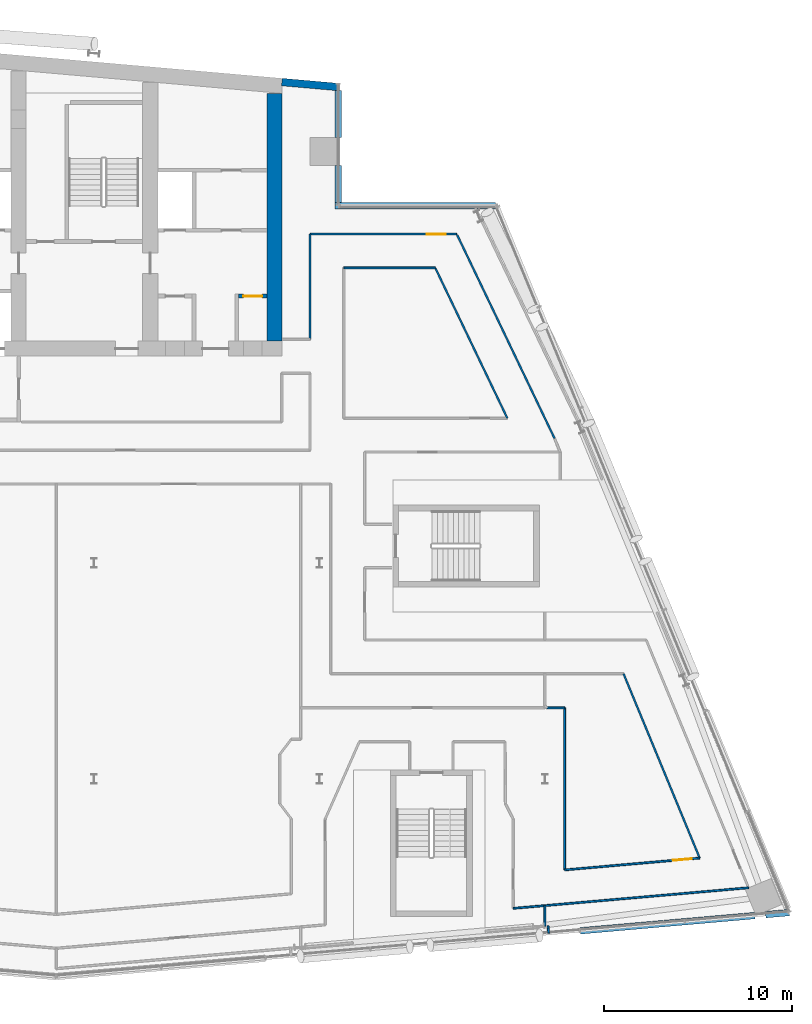
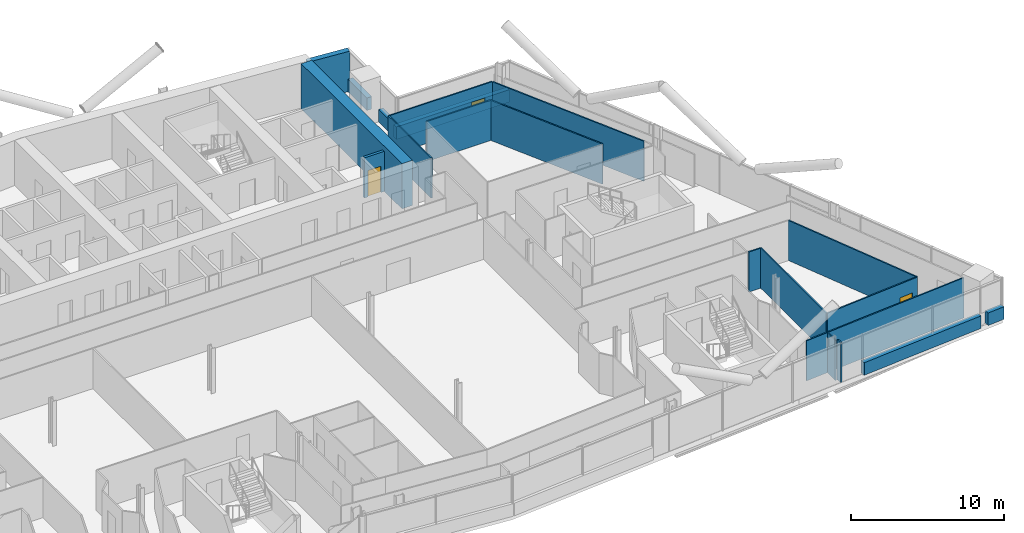
# One storey, part 19 of 28: 21 walls, 3 doors, 3 openings.
"""IFC4 building model written with IfcOpenShell, lengths in metres."""

from ifc_helpers import new_model, si_unit, direction, frame, frame_2d, origin, place, context, subcontext, project, spatial, rectangle, extrude, material, layer, layer_set, type_object, element, fill, save


model = new_model("IFC4")

# Units and contexts
model_context = context("Model", 3, precision=1e-05, world=origin(), true_north=direction((0.0, 1.0)))
body_context = subcontext(model_context, "Body", "Model", "MODEL_VIEW")
ifc_project = project(units=[si_unit("LENGTHUNIT", "METRE"), si_unit("AREAUNIT", "SQUARE_METRE"), si_unit("VOLUMEUNIT", "CUBIC_METRE"), si_unit("PLANEANGLEUNIT", "RADIAN"), si_unit("MASSUNIT", "GRAM", prefix="KILO")], contexts=[model_context])

# Site, building, storey
site_placement = place(None, origin())
site = spatial("IfcSite", under=ifc_project, at=site_placement, CompositionType="ELEMENT")
building_placement = place(site_placement, origin())
building = spatial("IfcBuilding", under=site, at=building_placement, Name="Wharfspan Tower", CompositionType="ELEMENT")
storey_placement = place(building_placement, frame((0.0, 0.0, 187.899902)))
storey = spatial("IfcBuildingStorey", under=building, at=storey_placement, Name="L46", CompositionType="ELEMENT", Elevation=187.899902)

# Wall
ifc_material_1 = material(Name="Gypsum board on steel studs", Category="steel")
ifc_layer_1 = layer(ifc_material_1, 0.100098)
ifc_layer_set_1 = layer_set([ifc_layer_1], Name="Gypsum board on steel studs")
wall_type_1 = type_object("IfcWallType", Name="Compartment wall 100 EI 60", PredefinedType="PARTITIONING", material=ifc_layer_set_1)
wall_1_placement = place(storey_placement, frame((59.5, 34.899902, 0.0), z_axis=(0.0, 0.0, 1.0), x_axis=(0.0, 1.0, 0.0)))
element("IfcWall", 1, at=wall_1_placement, inside=storey, type_object=wall_type_1, Name="Partition L46.w087", PredefinedType="PARTITIONING", context=body_context, shape_type="SweptSolid", body=[
    extrude(rectangle(XDim=5.600098, YDim=0.100098, at=frame_2d((2.800049, 0.0))), origin(), (0.0, 0.0, 1.0), 3.200195),
])

# Wall, opening, door
wall_2_placement = place(storey_placement, frame((59.5, 40.5, 0.0), z_axis=(0.0, 0.0, 1.0), x_axis=(1.0, 0.0, 0.0)))
wall_2 = element("IfcWall", 2, at=wall_2_placement, inside=storey, type_object=wall_type_1, Name="Partition L46.w088", PredefinedType="PARTITIONING", context=body_context, shape_type="SweptSolid", body=[
    extrude(rectangle(XDim=7.800049, YDim=0.100098, at=frame_2d((3.899902, 0.0))), origin(), (0.0, 0.0, 1.0), 3.200195),
])
opening_1_placement = place(wall_2_placement, frame((6.223389, 0.0, 0.0)))
opening_1 = element("IfcOpeningElement", 3, at=opening_1_placement, cuts=wall_2, Name="Opening C5-24", PredefinedType="OPENING", context=body_context, shape_type="SweptSolid", body=[
    extrude(rectangle(XDim=1.0, YDim=2.100098, at=frame_2d((0.5, 1.050049))), frame((0.0, 0.060059, 0.0), z_axis=(0.0, -1.0, 0.0), x_axis=(1.0, 0.0, 0.0)), (0.0, 0.0, 1.0), 0.120117),
])
ifc_material_2 = material(Name="Fire-rated timber door leaf in steel frame", Category="steel")
door_type_1 = type_object("IfcDoorType", Name="Door 1000 FD30S Right", OperationType="SINGLE_SWING_RIGHT", PredefinedType="DOOR", material=ifc_material_2)
door_1_placement = place(opening_1_placement, origin())
door_1 = element("IfcDoor", 4, at=door_1_placement, inside=storey, type_object=door_type_1, Name="Door C5-24", OperationType="SINGLE_SWING_RIGHT", OverallHeight=2.100098, OverallWidth=1.0, PredefinedType="DOOR", context=body_context, shape_type="SweptSolid", body=[
    extrude(rectangle(XDim=1.0, YDim=2.100098, at=frame_2d((0.5, 1.050049))), frame((0.0, 0.024902, 0.0), z_axis=(0.0, -1.0, 0.0), x_axis=(1.0, 0.0, 0.0)), (0.0, 0.0, 1.0), 0.050049),
])
fill(opening_1, door_1)

# Walls
wall_3_placement = place(storey_placement, frame((61.300049, 38.699951, 0.0), z_axis=(0.0, 0.0, 1.0), x_axis=(1.0, 0.0, 0.0)))
element("IfcWall", 5, at=wall_3_placement, inside=storey, type_object=wall_type_1, Name="Partition L46.w095", PredefinedType="PARTITIONING", context=body_context, shape_type="SweptSolid", body=[
    extrude(rectangle(XDim=4.86499, YDim=0.100098, at=frame_2d((2.432617, 0.0))), origin(), (0.0, 0.0, 1.0), 3.200195),
])
wall_4_placement = place(storey_placement, frame((70.0, 30.699951, 0.0), z_axis=(0.0, 0.0, 1.0), x_axis=(-0.432271, 0.901748, 0.0)))
element("IfcWall", 6, at=wall_4_placement, inside=storey, type_object=wall_type_1, Name="Partition L46.w109", PredefinedType="PARTITIONING", context=body_context, shape_type="SweptSolid", body=[
    extrude(rectangle(XDim=8.871582, YDim=0.100098, at=frame_2d((4.435791, 0.0))), origin(), (0.0, 0.0, 1.0), 3.200195),
])
wall_5_placement = place(storey_placement, frame((70.310059, 4.620117, 0.0), z_axis=(0.0, 0.0, 1.0), x_axis=(0.996348, 0.085356, 0.0)))
element("IfcWall", 7, at=wall_5_placement, inside=storey, type_object=wall_type_1, Name="Partition L46.w110", PredefinedType="PARTITIONING", context=body_context, shape_type="SweptSolid", body=[
    extrude(rectangle(XDim=1.696045, YDim=0.100098, at=frame_2d((0.848145, 0.0))), origin(), (0.0, 0.0, 1.0), 3.200195),
])
wall_6_placement = place(storey_placement, frame((72.0, 3.679932, 0.0), z_axis=(0.0, 0.0, 1.0), x_axis=(0.0, 1.0, 0.0)))
element("IfcWall", 8, at=wall_6_placement, inside=storey, type_object=wall_type_1, Name="Partition L46.w113", PredefinedType="PARTITIONING", context=body_context, shape_type="SweptSolid", body=[
    extrude(rectangle(XDim=1.084961, YDim=0.100098, at=frame_2d((0.54248, 0.0))), origin(), (0.0, 0.0, 1.0), 3.200195),
])
wall_7_placement = place(storey_placement, frame((72.0, 4.764893, 0.0), z_axis=(0.0, 0.0, 1.0), x_axis=(0.996178, 0.087362, 0.0)))
element("IfcWall", 9, at=wall_7_placement, inside=storey, type_object=wall_type_1, Name="Partition L46.w114", PredefinedType="PARTITIONING", context=body_context, shape_type="SweptSolid", body=[
    extrude(rectangle(XDim=10.876465, YDim=0.100098, at=frame_2d((5.438232, 0.0))), origin(), (0.0, 0.0, 1.0), 3.200195),
])
wall_8_placement = place(storey_placement, frame((72.110107, 15.284912, 0.0), z_axis=(0.0, 0.0, 1.0), x_axis=(1.0, 0.0, 0.0)))
element("IfcWall", 10, at=wall_8_placement, inside=storey, type_object=wall_type_1, Name="Partition L46.w117", PredefinedType="PARTITIONING", context=body_context, shape_type="SweptSolid", body=[
    extrude(rectangle(XDim=0.939941, YDim=0.100098, at=frame_2d((0.469971, 0.0))), origin(), (0.0, 0.0, 1.0), 3.200195),
])
wall_9_placement = place(storey_placement, frame((72.514893, 29.620117, 0.0), z_axis=(0.0, 0.0, 1.0), x_axis=(-0.43171, 0.902012, 0.0)))
element("IfcWall", 11, at=wall_9_placement, inside=storey, type_object=wall_type_1, Name="Partition L46.w120", PredefinedType="PARTITIONING", context=body_context, shape_type="SweptSolid", body=[
    extrude(rectangle(XDim=12.00708, YDim=0.100098, at=frame_2d((6.003418, 0.0))), origin(), (0.0, 0.0, 1.0), 3.200195),
])

# Wall, opening, door
wall_10_placement = place(storey_placement, frame((73.050049, 6.665039, 0.0), z_axis=(0.0, 0.0, 1.0), x_axis=(0.996183, 0.087331, 0.0)))
wall_10 = element("IfcWall", 12, at=wall_10_placement, inside=storey, type_object=wall_type_1, Name="Partition L46.w123", PredefinedType="PARTITIONING", context=body_context, shape_type="SweptSolid", body=[
    extrude(rectangle(XDim=7.212646, YDim=0.100098, at=frame_2d((3.606445, 0.0))), origin(), (0.0, 0.0, 1.0), 3.200195),
])
opening_2_placement = place(wall_10_placement, frame((5.786133, 0.0, 0.0)))
opening_2 = element("IfcOpeningElement", 13, at=opening_2_placement, cuts=wall_10, Name="Opening C5-07", PredefinedType="OPENING", context=body_context, shape_type="SweptSolid", body=[
    extrude(rectangle(XDim=1.0, YDim=2.100098, at=frame_2d((0.5, 1.050049))), frame((0.0, 0.060059, 0.0), z_axis=(0.0, -1.0, 0.0), x_axis=(1.0, 0.0, 0.0)), (0.0, 0.0, 1.0), 0.120117),
])
door_2_placement = place(opening_2_placement, origin())
door_2 = element("IfcDoor", 14, at=door_2_placement, inside=storey, type_object=door_type_1, Name="Door C5-07", OperationType="SINGLE_SWING_RIGHT", OverallHeight=2.100098, OverallWidth=1.0, PredefinedType="DOOR", context=body_context, shape_type="SweptSolid", body=[
    extrude(rectangle(XDim=1.0, YDim=2.100098, at=frame_2d((0.5, 1.050049))), frame((0.0, 0.024902, 0.0), z_axis=(0.0, -1.0, 0.0), x_axis=(1.0, 0.0, 0.0)), (0.0, 0.0, 1.0), 0.050049),
])
fill(opening_2, door_2)

# Walls
wall_11_placement = place(storey_placement, frame((73.050049, 6.665039, 0.0), z_axis=(0.0, 0.0, 1.0), x_axis=(0.0, 1.0, 0.0)))
element("IfcWall", 15, at=wall_11_placement, inside=storey, type_object=wall_type_1, Name="Partition L46.w124", PredefinedType="PARTITIONING", context=body_context, shape_type="SweptSolid", body=[
    extrude(rectangle(XDim=8.619873, YDim=0.100098, at=frame_2d((4.310059, 0.0))), origin(), (0.0, 0.0, 1.0), 3.200195),
])
wall_12_placement = place(storey_placement, frame((80.235107, 7.294922, 0.0), z_axis=(0.0, 0.0, 1.0), x_axis=(-0.381768, 0.924261, 0.0)))
element("IfcWall", 16, at=wall_12_placement, inside=storey, type_object=wall_type_1, Name="Partition L46.w128", PredefinedType="PARTITIONING", context=body_context, shape_type="SweptSolid", body=[
    extrude(rectangle(XDim=10.608643, YDim=0.100098, at=frame_2d((5.304199, 0.0))), origin(), (0.0, 0.0, 1.0), 3.200195),
])

# Wall, opening, door
ifc_material_3 = material(Name="Calcium silicate masonry", Category="masonry")
ifc_layer_2 = layer(ifc_material_3, 0.199951)
ifc_layer_set_2 = layer_set([ifc_layer_2], Name="Calcium silicate masonry")
wall_type_2 = type_object("IfcWallType", Name="Core room wall 200", PredefinedType="PARTITIONING", material=ifc_layer_set_2)
wall_13_placement = place(storey_placement, frame((55.699951, 37.199951, 0.0), z_axis=(0.0, 0.0, 1.0), x_axis=(1.0, 0.0, 0.0)))
wall_13 = element("IfcWall", 17, at=wall_13_placement, inside=storey, type_object=wall_type_2, Name="sw:L46:FR6.3", PredefinedType="PARTITIONING", context=body_context, shape_type="SweptSolid", body=[
    extrude(rectangle(XDim=1.5, YDim=0.199951, at=frame_2d((0.75, 0.0))), origin(), (0.0, 0.0, 1.0), 3.200195),
])
opening_3_placement = place(wall_13_placement, frame((0.25, 0.0, 0.0)))
opening_3 = element("IfcOpeningElement", 18, at=opening_3_placement, cuts=wall_13, Name="Opening CD46.6H3", PredefinedType="OPENING", context=body_context, shape_type="SweptSolid", body=[
    extrude(rectangle(XDim=1.0, YDim=2.100098, at=frame_2d((0.5, 1.050049))), frame((0.0, 0.109863, 0.0), z_axis=(0.0, -1.0, 0.0), x_axis=(1.0, 0.0, 0.0)), (0.0, 0.0, 1.0), 0.219971),
])
ifc_material_4 = material(Name="Steel door leaf", Category="steel")
door_type_2 = type_object("IfcDoorType", Name="Core room door 1000x2100", OperationType="SINGLE_SWING_LEFT", PredefinedType="DOOR", material=ifc_material_4)
door_3_placement = place(opening_3_placement, origin())
door_3 = element("IfcDoor", 19, at=door_3_placement, inside=storey, type_object=door_type_2, Name="d:L46:6:fh6.3", OperationType="SINGLE_SWING_RIGHT", OverallHeight=2.100098, OverallWidth=1.0, PredefinedType="DOOR", context=body_context, shape_type="SweptSolid", body=[
    extrude(rectangle(XDim=1.0, YDim=2.100098, at=frame_2d((0.5, 1.050049))), frame((0.0, 0.024902, 0.0), z_axis=(0.0, -1.0, 0.0), x_axis=(1.0, 0.0, 0.0)), (0.0, 0.0, 1.0), 0.050049),
])
fill(opening_3, door_3)

# Walls
ifc_material_5 = material(Name="Concrete C60/75", Category="concrete")
ifc_layer_3 = layer(ifc_material_5, 0.800049)
ifc_layer_set_3 = layer_set([ifc_layer_3], Name="Concrete C60/75")
wall_type_3 = type_object("IfcWallType", Name="Core wall 800 C60/75", PredefinedType="SHEAR", material=ifc_layer_set_3)
wall_14_placement = place(storey_placement, frame((57.600098, 34.800049, 0.0), z_axis=(0.0, 0.0, 1.0), x_axis=(0.0, 1.0, 0.0)))
element("IfcWall", 20, at=wall_14_placement, inside=storey, type_object=wall_type_3, Name="Core cross wall EW1 L46", PredefinedType="SHEAR", context=body_context, shape_type="SweptSolid", body=[
    extrude(rectangle(XDim=13.184326, YDim=0.800049, at=frame_2d((6.592285, 0.0))), origin(), (0.0, 0.0, 1.0), 3.600098),
])
ifc_layer_4 = layer(ifc_material_1, 0.100098)
ifc_layer_set_4 = layer_set([ifc_layer_4], Name="Gypsum board on steel studs")
wall_type_4 = type_object("IfcWallType", Name="Partition 100", PredefinedType="PARTITIONING", material=ifc_layer_set_4)
wall_15_placement = place(storey_placement, frame((72.198242, 3.300049, 0.0), z_axis=(0.0, 0.0, 1.0), x_axis=(-0.083759, 0.996486, 0.0)))
element("IfcWall", 21, at=wall_15_placement, inside=storey, type_object=wall_type_4, Name="Partition L46.w119", PredefinedType="PARTITIONING", context=body_context, shape_type="SweptSolid", body=[
    extrude(rectangle(XDim=0.396484, YDim=0.100098, at=frame_2d((0.198242, 0.0))), origin(), (0.0, 0.0, 1.0), 3.200195),
])
ifc_material_6 = material(Name="Concrete C40/50", Category="concrete")
ifc_layer_5 = layer(ifc_material_6, 0.350098)
ifc_layer_set_5 = layer_set([ifc_layer_5], Name="Concrete C40/50")
wall_type_5 = type_object("IfcWallType", Name="SPANDREL EXPOSED CONCRETE 350", PredefinedType="SOLIDWALL", material=ifc_layer_set_5)
wall_16_placement = place(storey_placement, frame((73.887451, 3.422852, 0.0), z_axis=(0.0, 0.0, 1.0), x_axis=(0.996197, 0.087145, 0.0)))
element("IfcWall", 22, at=wall_16_placement, inside=storey, type_object=wall_type_5, Name="Spandrel upstand L46 S2 2", PredefinedType="SOLIDWALL", context=body_context, shape_type="SweptSolid", body=[
    extrude(rectangle(XDim=9.323486, YDim=0.350098, at=frame_2d((4.661621, 0.0))), origin(), (0.0, 0.0, 1.0), 1.0),
])
wall_17_placement = place(storey_placement, frame((83.744629, 4.285156, 0.0), z_axis=(0.0, 0.0, 1.0), x_axis=(0.996198, 0.087148, 0.0)))
element("IfcWall", 23, at=wall_17_placement, inside=storey, type_object=wall_type_5, Name="Spandrel upstand L46 S2 3", PredefinedType="SOLIDWALL", context=body_context, shape_type="SweptSolid", body=[
    extrude(rectangle(XDim=1.260742, YDim=0.350098, at=frame_2d((0.630371, 0.0))), origin(), (0.0, 0.0, 1.0), 1.0),
])
wall_18_placement = place(storey_placement, frame((69.366211, 42.004883, 0.0), z_axis=(0.0, 0.0, 1.0), x_axis=(-1.0, 0.0, 0.0)))
element("IfcWall", 24, at=wall_18_placement, inside=storey, type_object=wall_type_5, Name="Spandrel upstand L46 NRE-H", PredefinedType="SOLIDWALL", context=body_context, shape_type="SweptSolid", body=[
    extrude(rectangle(XDim=8.536133, YDim=0.350098, at=frame_2d((4.268066, 0.0))), origin(), (0.0, 0.0, 1.0), 1.0),
])
wall_19_placement = place(storey_placement, frame((61.004883, 42.179932, 0.0), z_axis=(0.0, 0.0, 1.0), x_axis=(0.0, 1.0, 0.0)))
element("IfcWall", 25, at=wall_19_placement, inside=storey, type_object=wall_type_5, Name="Spandrel upstand L46 NRE-V", PredefinedType="SOLIDWALL", context=body_context, shape_type="SweptSolid", body=[
    extrude(rectangle(XDim=1.969971, YDim=0.350098, at=frame_2d((0.984863, 0.0))), origin(), (0.0, 0.0, 1.0), 1.0),
])
wall_20_placement = place(storey_placement, frame((61.004883, 45.649902, 0.0), z_axis=(0.0, 0.0, 1.0), x_axis=(0.0, 1.0, 0.0)))
element("IfcWall", 26, at=wall_20_placement, inside=storey, type_object=wall_type_5, Name="Spandrel upstand L46 NRE-V 2", PredefinedType="SOLIDWALL", context=body_context, shape_type="SweptSolid", body=[
    extrude(rectangle(XDim=2.476562, YDim=0.350098, at=frame_2d((1.238281, 0.0))), origin(), (0.0, 0.0, 1.0), 1.0),
])
ifc_layer_6 = layer(ifc_material_6, 0.399902)
ifc_layer_set_6 = layer_set([ifc_layer_6], Name="Concrete C40/50")
wall_type_6 = type_object("IfcWallType", Name="WALL EXPOSED CONCRETE 400", PredefinedType="SOLIDWALL", material=ifc_layer_set_6)
wall_21_placement = place(storey_placement, frame((60.982666, 48.325684, 0.0), z_axis=(0.0, 0.0, 1.0), x_axis=(-0.996194, 0.087168, 0.0)))
element("IfcWall", 27, at=wall_21_placement, inside=storey, type_object=wall_type_6, Name="Rear wall N2", PredefinedType="SOLIDWALL", context=body_context, shape_type="SweptSolid", body=[
    extrude(rectangle(XDim=2.994141, YDim=0.399902, at=frame_2d((1.49707, 0.0))), origin(), (0.0, 0.0, 1.0), 3.200195),
])

save(model, "model.ifc")
